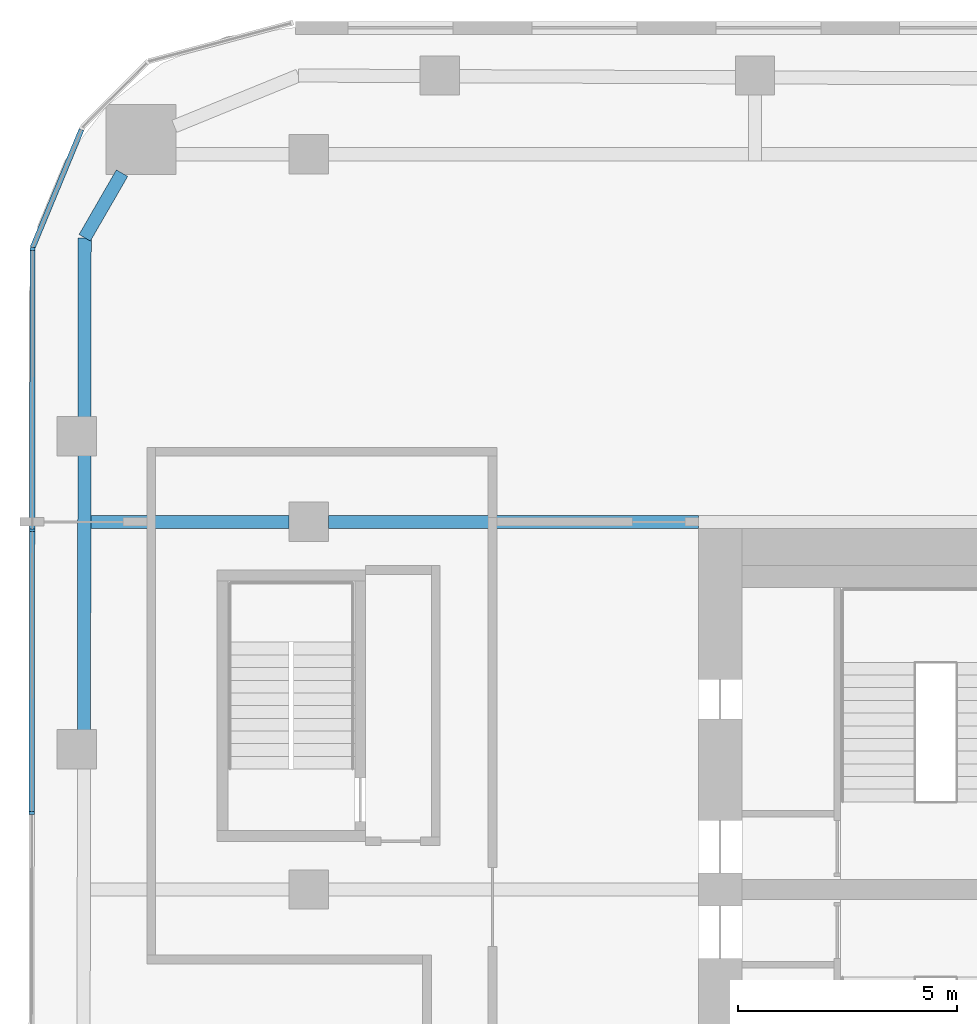
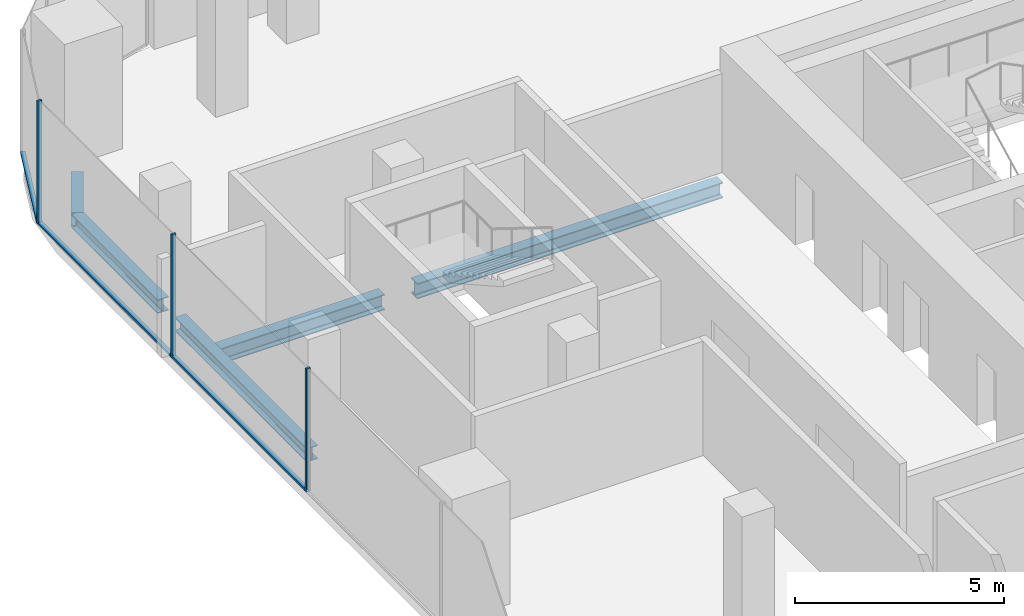
# One storey, part 8 of 21: 6 members, 5 beams, 2 elements without a shape of their own.
"""IFC4 building model written with IfcOpenShell, lengths in metres."""

from ifc_helpers import new_model, si_unit, direction, frame, origin, origin_2d, place, context, subcontext, project, spatial, rectangle, i_section, extrude, material, layer, layer_set, material_profile, profile_set, type_object, element, aggregate, save


model = new_model("IFC4")

# Units and contexts
model_context = context("Model", 3, precision=1e-05, world=origin(), true_north=direction((0.0, 1.0)))
body_context = subcontext(model_context, "Body", "Model", "MODEL_VIEW")
ifc_project = project(units=[si_unit("LENGTHUNIT", "METRE"), si_unit("AREAUNIT", "SQUARE_METRE"), si_unit("VOLUMEUNIT", "CUBIC_METRE"), si_unit("PLANEANGLEUNIT", "RADIAN"), si_unit("MASSUNIT", "GRAM", prefix="KILO")], contexts=[model_context])

# Site, building, storey
site_placement = place(None, origin())
site = spatial("IfcSite", under=ifc_project, at=site_placement, CompositionType="ELEMENT")
building_placement = place(site_placement, origin())
building = spatial("IfcBuilding", under=site, at=building_placement, Name="Marenta Gate Hotel Tower", CompositionType="ELEMENT")
storey_placement = place(building_placement, frame((0.0, 0.0, 133.699951171875)))
storey = spatial("IfcBuildingStorey", under=building, at=storey_placement, Name="L30", CompositionType="ELEMENT", Elevation=133.699951171875)

# Beams
ifc_material_1 = material(Name="Steel S355", Category="steel")
ifc_material_profile_1 = material_profile(ifc_material_1, i_section(OverallWidth=0.300048828125, OverallDepth=0.39990234375, WebThickness=0.013427734375, FlangeThickness=0.02392578125, FilletRadius=0.027099609375, at=origin_2d()), Name="HEB 400")
ifc_profile_set_1 = profile_set([ifc_material_profile_1], Name="Steel S355")
beam_type_1 = type_object("IfcBeamType", Name="Edge beam HEB 400", PredefinedType="SPANDREL", material=ifc_profile_set_1)
beam_1_placement = place(storey_placement, frame((-26.136962890625, 12.01318359375, -0.4599609375), z_axis=(0.001387763206, 0.999999037056, 0.0), x_axis=(-0.999999037056, 0.001387763206, 0.0)))
element("IfcBeam", 1, at=beam_1_placement, inside=storey, type_object=beam_type_1, Name="L30-EB-9", PredefinedType="SPANDREL", context=body_context, shape_type="SweptSolid", body=[
    extrude(i_section(OverallWidth=0.300048828125, OverallDepth=0.39990234375, WebThickness=0.013427734375, FlangeThickness=0.02392578125, FilletRadius=0.027099609375, at=origin_2d()), origin(), (0.0, 0.0, 1.0), 6.333251953125),
])
beam_2_placement = place(storey_placement, frame((-26.126953125, 19.16650390625, -0.4599609375), z_axis=(0.001361187116, 0.999999073584, 0.0), x_axis=(-0.999999073584, 0.001361187116, 0.0)))
element("IfcBeam", 2, at=beam_2_placement, inside=storey, type_object=beam_type_1, Name="L30-EB-10", PredefinedType="SPANDREL", context=body_context, shape_type="SweptSolid", body=[
    extrude(i_section(OverallWidth=0.300048828125, OverallDepth=0.39990234375, WebThickness=0.013427734375, FlangeThickness=0.02392578125, FilletRadius=0.027099609375, at=origin_2d()), origin(), (0.0, 0.0, 1.0), 4.125244140625),
])
beam_3_placement = place(storey_placement, frame((-26.121337890625, 23.291748046875, -0.4599609375), z_axis=(0.500015459501, 0.866016478054, 0.0), x_axis=(-0.866016478054, 0.500015459501, 0.0)))
element("IfcBeam", 3, at=beam_3_placement, inside=storey, type_object=beam_type_1, Name="L30-EB-11", PredefinedType="SPANDREL", context=body_context, shape_type="SweptSolid", body=[
    extrude(i_section(OverallWidth=0.300048828125, OverallDepth=0.39990234375, WebThickness=0.013427734375, FlangeThickness=0.02392578125, FilletRadius=0.027099609375, at=origin_2d()), origin(), (0.0, 0.0, 1.0), 1.70703125),
])
ifc_material_2 = material(Name="Steel S355", Category="steel")
ifc_material_profile_2 = material_profile(ifc_material_2, i_section(OverallWidth=0.300048828125, OverallDepth=0.449951171875, WebThickness=0.013916015625, FlangeThickness=0.02587890625, FilletRadius=0.027099609375, at=origin_2d()), Name="HEB 450")
ifc_profile_set_2 = profile_set([ifc_material_profile_2], Name="Steel S355")
beam_type_2 = type_object("IfcBeamType", Name="Girder HEB 450", PredefinedType="BEAM", material=ifc_profile_set_2)
beam_4_placement = place(storey_placement, frame((-25.980224609375, 16.800048828125, -0.48486328125), z_axis=(1.0, 0.0, 0.0), x_axis=(0.0, 1.0, 0.0)))
element("IfcBeam", 4, at=beam_4_placement, inside=storey, type_object=beam_type_2, Name="L30-GD-24", PredefinedType="BEAM", context=body_context, shape_type="SweptSolid", body=[
    extrude(i_section(OverallWidth=0.300048828125, OverallDepth=0.449951171875, WebThickness=0.013916015625, FlangeThickness=0.02587890625, FilletRadius=0.027099609375, at=origin_2d()), origin(), (0.0, 0.0, 1.0), 4.5302734375),
])
beam_5_placement = place(storey_placement, frame((-20.550048828125, 16.800048828125, -0.48486328125), z_axis=(1.0, 0.0, 0.0), x_axis=(0.0, 1.0, 0.0)))
element("IfcBeam", 5, at=beam_5_placement, inside=storey, type_object=beam_type_2, Name="L30-GD-25", PredefinedType="BEAM", context=body_context, shape_type="SweptSolid", body=[
    extrude(i_section(OverallWidth=0.300048828125, OverallDepth=0.449951171875, WebThickness=0.013916015625, FlangeThickness=0.02587890625, FilletRadius=0.027099609375, at=origin_2d()), origin(), (0.0, 0.0, 1.0), 8.449951171875),
])

# Curtain wall, members
ifc_material_3 = material(Name="Tinted insulated glass in bronze anodised frame", Category="glass")
ifc_layer = layer(ifc_material_3, 0.1201171875)
ifc_layer_set = layer_set([ifc_layer], Name="Tinted insulated glass in bronze anodised frame")
curtain_wall_type = type_object("IfcCurtainWallType", Name="Tower unitised curtain wall CW1", PredefinedType="NOTDEFINED", material=ifc_layer_set)
curtain_wall_1_placement = place(storey_placement, origin())
curtain_wall_1 = element("IfcCurtainWall", 6, at=curtain_wall_1_placement, inside=storey, type_object=curtain_wall_type, Name="CW1 run G03", PredefinedType="NOTDEFINED")
ifc_material_4 = material(Name="Bronze anodised aluminium", Category="aluminium")
ifc_material_profile_3 = material_profile(ifc_material_4, rectangle(XDim=0.1201171875, YDim=0.06005859375, at=origin_2d()), Name="Mullion CW1 60x120 bronze anodised aluminium")
ifc_profile_set_3 = profile_set([ifc_material_profile_3], Name="Bronze anodised aluminium")
member_type_1 = type_object("IfcMemberType", Name="Mullion CW1 60x120 bronze anodised aluminium", PredefinedType="MULLION", material=ifc_profile_set_3)
member_1_placement = place(storey_placement, frame((-27.312255859375, 23.0361328125, 0.0), z_axis=(0.0, 0.0, 1.0), x_axis=(0.99999877375, -0.001566045546, 0.0)))
member_1 = element("IfcMember", 7, at=member_1_placement, type_object=member_type_1, Name="CW1 mullion 1", PredefinedType="MULLION", context=body_context, shape_type="SweptSolid", body=[
    extrude(rectangle(XDim=0.1201171875, YDim=0.06005859375, at=origin_2d()), origin(), (0.0, 0.0, 1.0), 3.60009765625),
])
member_2_placement = place(storey_placement, frame((-27.322509765625, 16.606201171875, 0.0), z_axis=(0.0, 0.0, 1.0), x_axis=(0.99999877375, -0.001566045546, 0.0)))
member_2 = element("IfcMember", 8, at=member_2_placement, type_object=member_type_1, Name="CW1 mullion 2", PredefinedType="MULLION", context=body_context, shape_type="SweptSolid", body=[
    extrude(rectangle(XDim=0.1201171875, YDim=0.06005859375, at=origin_2d()), origin(), (0.0, 0.0, 1.0), 3.60009765625),
])
member_3_placement = place(storey_placement, frame((-27.33251953125, 10.146240234375, 0.0), z_axis=(0.0, 0.0, 1.0), x_axis=(0.99999877375, -0.001566045546, 0.0)))
member_3 = element("IfcMember", 9, at=member_3_placement, type_object=member_type_1, Name="CW1 mullion 3", PredefinedType="MULLION", context=body_context, shape_type="SweptSolid", body=[
    extrude(rectangle(XDim=0.1201171875, YDim=0.06005859375, at=origin_2d()), origin(), (0.0, 0.0, 1.0), 3.60009765625),
])

# Curtain wall, member
curtain_wall_2_placement = place(storey_placement, origin())
curtain_wall_2 = element("IfcCurtainWall", 10, at=curtain_wall_2_placement, inside=storey, type_object=curtain_wall_type, Name="CW1 run G02", PredefinedType="NOTDEFINED")
ifc_material_5 = material(Name="Bronze anodised aluminium", Category="aluminium")
ifc_material_profile_4 = material_profile(ifc_material_5, rectangle(XDim=0.1201171875, YDim=0.06005859375, at=origin_2d()), Name="Transom CW1 60x120 bronze anodised aluminium")
ifc_profile_set_4 = profile_set([ifc_material_profile_4], Name="Bronze anodised aluminium")
member_type_2 = type_object("IfcMemberType", Name="Transom CW1 60x120 bronze anodised aluminium", PredefinedType="USERDEFINED", material=ifc_profile_set_4)
member_4_placement = place(storey_placement, frame((-26.1953125, 25.76318359375, 0.030029296875), z_axis=(-0.382625093284, -0.923903695192, 0.0), x_axis=(0.923903695192, -0.382625093284, 0.0)))
member_4 = element("IfcMember", 11, at=member_4_placement, type_object=member_type_2, Name="CW1 transom 1.1", ObjectType="TRANSOM", PredefinedType="USERDEFINED", context=body_context, shape_type="SweptSolid", body=[
    extrude(rectangle(XDim=0.1201171875, YDim=0.06005859375, at=origin_2d()), origin(), (0.0, 0.0, 1.0), 2.919189453125),
])
aggregate(curtain_wall_2, [member_4])

# Member
member_5_placement = place(storey_placement, frame((-27.3125, 23.006103515625, 0.030029296875), z_axis=(-0.001533093902, -0.999998824811, 0.0), x_axis=(0.999998824811, -0.001533093902, 0.0)))
member_5 = element("IfcMember", 12, at=member_5_placement, type_object=member_type_2, Name="CW1 transom 1.1", ObjectType="TRANSOM", PredefinedType="USERDEFINED", context=body_context, shape_type="SweptSolid", body=[
    extrude(rectangle(XDim=0.1201171875, YDim=0.06005859375, at=origin_2d()), origin(), (0.0, 0.0, 1.0), 6.369873046875),
])

member_6_placement = place(storey_placement, frame((-27.322509765625, 16.576171875, 0.030029296875), z_axis=(-0.001564047831, -0.999998776876, 0.0), x_axis=(0.999998776876, -0.001564047831, 0.0)))
member_6 = element("IfcMember", 13, at=member_6_placement, type_object=member_type_2, Name="CW1 transom 2.1", ObjectType="TRANSOM", PredefinedType="USERDEFINED", context=body_context, shape_type="SweptSolid", body=[
    extrude(rectangle(XDim=0.1201171875, YDim=0.06005859375, at=origin_2d()), origin(), (0.0, 0.0, 1.0), 6.39990234375),
])

aggregate(curtain_wall_1, [member_1, member_2, member_3, member_5, member_6])

save(model, "model.ifc")
